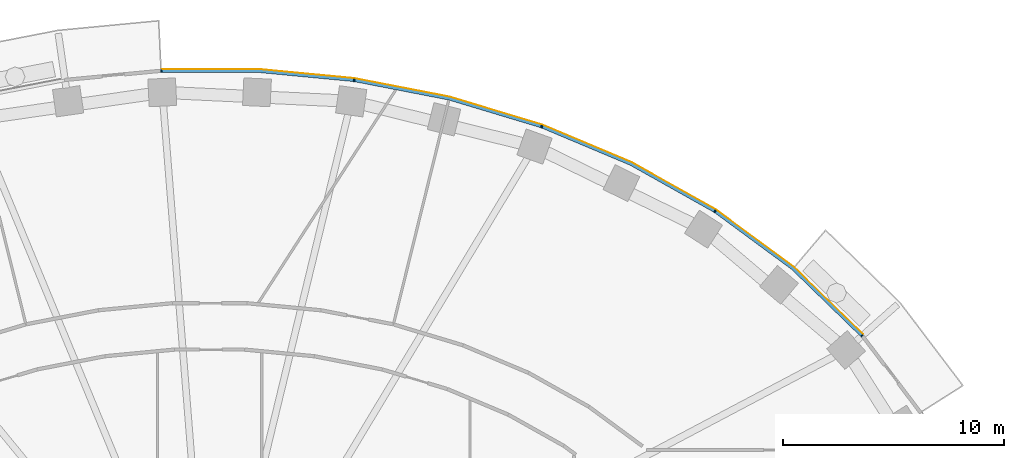
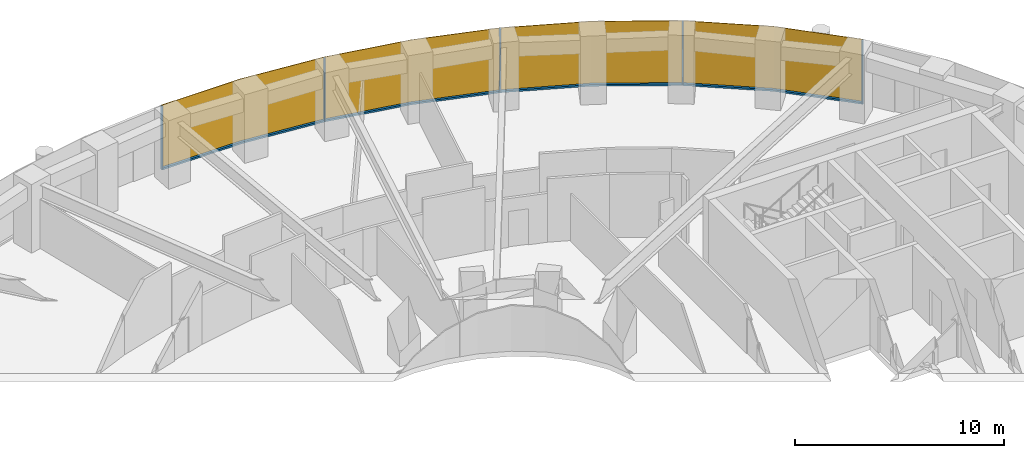
# One storey, part 13 of 16: 9 members, 1 curtain wall.
"""IFC4 building model written with IfcOpenShell, lengths in metres."""

from ifc_helpers import new_model, si_unit, direction, frame, origin, origin_2d, place, context, subcontext, project, spatial, polyline, rectangle, outline, extrude, material, layer, layer_set, material_profile, profile_set, type_object, element, aggregate, save


model = new_model("IFC4")

# Units and contexts
model_context = context("Model", 3, precision=1e-05, world=origin(), true_north=direction((0.0, 1.0)))
body_context = subcontext(model_context, "Body", "Model", "MODEL_VIEW")
ifc_project = project(units=[si_unit("LENGTHUNIT", "METRE"), si_unit("AREAUNIT", "SQUARE_METRE"), si_unit("VOLUMEUNIT", "CUBIC_METRE"), si_unit("PLANEANGLEUNIT", "RADIAN"), si_unit("MASSUNIT", "GRAM", prefix="KILO")], contexts=[model_context])

# Member
ifc_material_1 = material(Name="Aluminium 6063-T6 black anodised", Category="aluminium")
ifc_material_profile = material_profile(ifc_material_1, rectangle(XDim=0.1201171875, YDim=0.06005859375, at=origin_2d()), Name="120x60")
ifc_profile_set = profile_set([ifc_material_profile], Name="Aluminium 6063-T6 black anodised")
member_type_1 = type_object("IfcMemberType", Name="ENV-MULLION-A-120", PredefinedType="MULLION", material=ifc_profile_set)
site_placement = place(None, origin())
building_placement = place(site_placement, origin())
storey_placement = place(building_placement, frame((0.0, 0.0, 132.0)))
member_1_placement = place(storey_placement, frame((29.53857421875, 15.8671875, 0.0), z_axis=(0.0, 0.0, 1.0), x_axis=(-0.749047221705, -0.662516610853, 0.0)))
member_1 = element("IfcMember", 1, at=member_1_placement, type_object=member_type_1, Name="Mullion A radial 05", PredefinedType="MULLION", context=body_context, shape_type="SweptSolid", body=[
    extrude(rectangle(XDim=0.1201171875, YDim=0.06005859375, at=origin_2d()), origin(), (0.0, 0.0, 1.0), 3.699951171875),
])

member_2_placement = place(storey_placement, frame((22.882568359375, 21.506591796875, 0.0), z_axis=(0.0, 0.0, 1.0), x_axis=(-0.542279153225, -0.840198381323, 0.0)))
member_2 = element("IfcMember", 2, at=member_2_placement, type_object=member_type_1, Name="Mullion A radial 07", PredefinedType="MULLION", context=body_context, shape_type="SweptSolid", body=[
    extrude(rectangle(XDim=0.1201171875, YDim=0.06005859375, at=origin_2d()), origin(), (0.0, 0.0, 1.0), 3.699951171875),
])

member_3_placement = place(storey_placement, frame((15.0341796875, 25.34375, 0.0), z_axis=(0.0, 0.0, 1.0), x_axis=(-0.338379256581, -0.941009818608, 0.0)))
member_3 = element("IfcMember", 3, at=member_3_placement, type_object=member_type_1, Name="Mullion A radial 09", PredefinedType="MULLION", context=body_context, shape_type="SweptSolid", body=[
    extrude(rectangle(XDim=0.1201171875, YDim=0.06005859375, at=origin_2d()), origin(), (0.0, 0.0, 1.0), 3.699951171875),
])

member_4_placement = place(storey_placement, frame((6.54638671875, 27.440185546875, 0.0), z_axis=(0.0, 0.0, 1.0), x_axis=(-0.143082012705, -0.989710835366, 0.0)))
member_4 = element("IfcMember", 4, at=member_4_placement, type_object=member_type_1, Name="Mullion A radial 11", PredefinedType="MULLION", context=body_context, shape_type="SweptSolid", body=[
    extrude(rectangle(XDim=0.1201171875, YDim=0.06005859375, at=origin_2d()), origin(), (0.0, 0.0, 1.0), 3.699951171875),
])

member_5_placement = place(storey_placement, frame((-2.188720703125, 27.856201171875, 0.0), z_axis=(0.0, 0.0, 1.0), x_axis=(0.047557873581, -0.998868484166, 0.0)))
member_5 = element("IfcMember", 5, at=member_5_placement, type_object=member_type_1, Name="Mullion A radial 13", PredefinedType="MULLION", context=body_context, shape_type="SweptSolid", body=[
    extrude(rectangle(XDim=0.1201171875, YDim=0.06005859375, at=origin_2d()), origin(), (0.0, 0.0, 1.0), 3.699951171875),
])

ifc_material_2 = material(Name="Aluminium 6063-T6 black anodised", Category="aluminium")
member_type_2 = type_object("IfcMemberType", Name="ENV-TRANSOM-A", PredefinedType="USERDEFINED", material=ifc_material_2)
member_6_placement = place(storey_placement, origin())
member_6 = element("IfcMember", 6, at=member_6_placement, type_object=member_type_2, Name="Transom A radial 05-07", ObjectType="TRANSOM", PredefinedType="USERDEFINED", context=body_context, shape_type="SweptSolid", body=[
    extrude(outline(polyline([(29.5634765625, 15.926513671875), (26.4423828125, 18.958740234375), (22.937744140625, 21.540283203125), (22.87255859375, 21.439208984375), (26.364501953125, 18.866943359375), (29.473388671875, 15.8466796875), (29.5634765625, 15.926513671875)])), origin(), (0.0, 0.0, 1.0), 0.10009765625),
])

member_7_placement = place(storey_placement, origin())
member_7 = element("IfcMember", 7, at=member_7_placement, type_object=member_type_2, Name="Transom A radial 07-09", ObjectType="TRANSOM", PredefinedType="USERDEFINED", context=body_context, shape_type="SweptSolid", body=[
    extrude(outline(polyline([(22.890625, 21.570556640625), (19.093994140625, 23.701416015625), (15.080322265625, 25.389404296875), (15.03955078125, 25.276123046875), (19.041259765625, 23.593505859375), (22.825439453125, 21.469482421875), (22.890625, 21.570556640625)])), origin(), (0.0, 0.0, 1.0), 0.10009765625),
])

member_8_placement = place(storey_placement, origin())
member_8 = element("IfcMember", 8, at=member_8_placement, type_object=member_type_2, Name="Transom A radial 09-11", ObjectType="TRANSOM", PredefinedType="USERDEFINED", context=body_context, shape_type="SweptSolid", body=[
    extrude(outline(polyline([(15.027587890625, 25.408203125), (10.857666015625, 26.6630859375), (6.58251953125, 27.494140625), (6.5654296875, 27.375244140625), (10.828857421875, 26.54638671875), (14.987060546875, 25.295166015625), (15.027587890625, 25.408203125)])), origin(), (0.0, 0.0, 1.0), 0.10009765625),
])

member_9_placement = place(storey_placement, origin())
member_9 = element("IfcMember", 9, at=member_9_placement, type_object=member_type_2, Name="Transom A radial 11-13", ObjectType="TRANSOM", PredefinedType="USERDEFINED", context=body_context, shape_type="SweptSolid", body=[
    extrude(outline(polyline([(6.527099609375, 27.502197265625), (2.191650390625, 27.916015625), (-2.163818359375, 27.916015625), (-2.157958984375, 27.7958984375), (2.185791015625, 27.7958984375), (6.510009765625, 27.38330078125), (6.527099609375, 27.502197265625)])), origin(), (0.0, 0.0, 1.0), 0.10009765625),
])

# Site, building, storey
site = spatial("IfcSite", under=ifc_project, at=site_placement, CompositionType="ELEMENT")
building = spatial("IfcBuilding", under=site, at=building_placement, Name="Noorbagh Ring Tower", CompositionType="ELEMENT")
storey = spatial("IfcBuildingStorey", under=building, at=storey_placement, Name="L30", CompositionType="ELEMENT", Elevation=132.0)

# Curtain wall
ifc_material_3 = material(Name="Glass dark tinted laminated", Category="glass")
ifc_layer = layer(ifc_material_3, 0.031982421875)
ifc_layer_set = layer_set([ifc_layer], Name="Glass dark tinted laminated")
curtain_wall_type = type_object("IfcCurtainWallType", Name="ENV-CW-A", PredefinedType="NOTDEFINED", material=ifc_layer_set)
curtain_wall_placement = place(storey_placement, origin())
curtain_wall = element("IfcCurtainWall", 10, at=curtain_wall_placement, inside=storey, type_object=curtain_wall_type, Name="Curtain wall A R05", PredefinedType="NOTDEFINED", context=body_context, shape_type="SweptSolid", body=[
    extrude(outline(polyline([(29.59326171875, 15.942138671875), (26.463134765625, 18.9833984375), (22.9326171875, 21.583740234375), (19.108154296875, 23.730224609375), (15.065185546875, 25.430419921875), (10.865234375, 26.6943359375), (6.559814453125, 27.53125), (2.193115234375, 27.947998046875), (-2.173095703125, 27.947998046875), (-2.171630859375, 27.916015625), (2.191650390625, 27.916015625), (6.55517578125, 27.49951171875), (10.857666015625, 26.6630859375), (15.054443359375, 25.400146484375), (19.093994140625, 23.701416015625), (22.9150390625, 21.556884765625), (26.4423828125, 18.958740234375), (29.569091796875, 15.9208984375), (29.59326171875, 15.942138671875)])), origin(), (0.0, 0.0, 1.0), 3.699951171875),
])

aggregate(curtain_wall, [member_1, member_2, member_3, member_4, member_5, member_6, member_7, member_8, member_9])

save(model, "model.ifc")
